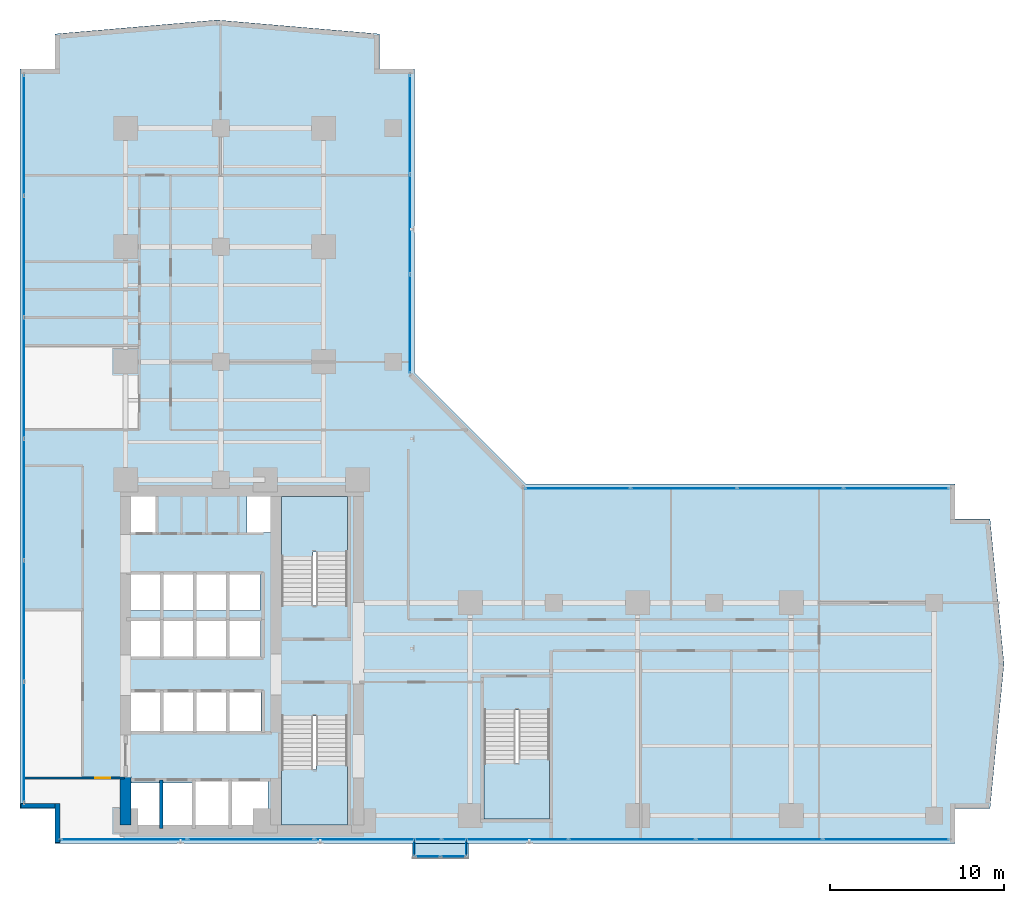
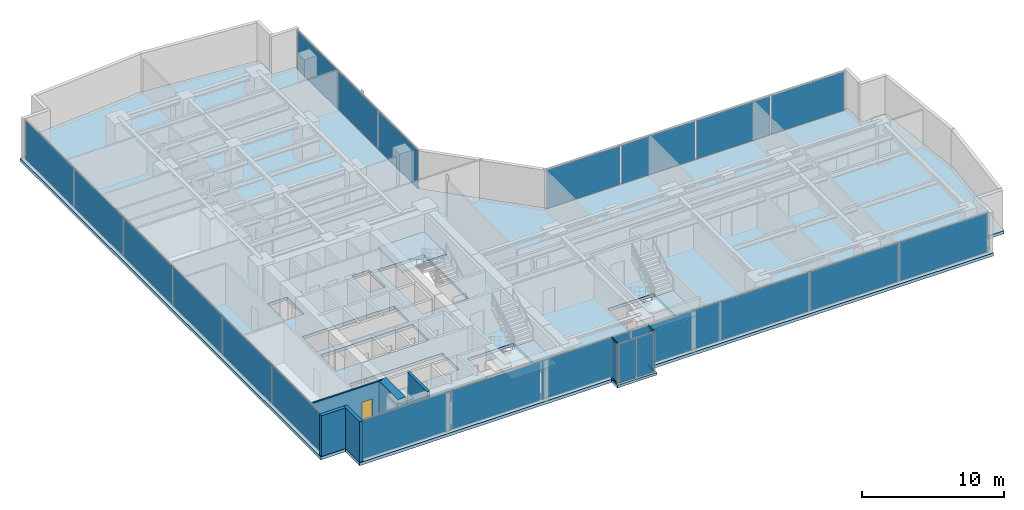
# One storey, part 18 of 25: 24 plates, 5 slabs, 5 walls, 4 members, 1 door, 1 opening, 10 elements without a shape of their own.
"""IFC4 building model written with IfcOpenShell, lengths in metres."""

from ifc_helpers import new_model, si_unit, direction, frame, frame_2d, origin, origin_with_axes, origin_2d, place, context, subcontext, project, spatial, polyline, rectangle, hollow_rectangle, outline, extrude, source, transform, mapped, material, layer, layer_set, material_profile, profile_set, type_object, element, fill, aggregate, save


model = new_model("IFC4")

# Units and contexts
model_context = context("Model", 3, precision=1e-05, world=origin(), true_north=direction((0.0, 1.0)))
body_context = subcontext(model_context, "Body", "Model", "MODEL_VIEW")
ifc_project = project(units=[si_unit("LENGTHUNIT", "METRE"), si_unit("AREAUNIT", "SQUARE_METRE"), si_unit("VOLUMEUNIT", "CUBIC_METRE"), si_unit("PLANEANGLEUNIT", "RADIAN"), si_unit("MASSUNIT", "GRAM", prefix="KILO")], contexts=[model_context])

# Site, building, storey
site_placement = place(None, origin())
site = spatial("IfcSite", under=ifc_project, at=site_placement, CompositionType="ELEMENT")
building_placement = place(site_placement, origin())
building = spatial("IfcBuilding", under=site, at=building_placement, Name="Kolvaren Waterfront Exchange", CompositionType="ELEMENT")
storey_placement = place(building_placement, frame((0.0, 0.0, 106.89990234375)))
storey = spatial("IfcBuildingStorey", under=building, at=storey_placement, Name="L27", CompositionType="ELEMENT", Elevation=106.89990234375)

# Curtain wall, members
ifc_material_1 = material(Name="Anodised bronze aluminium 6063-T6", Category="aluminium")
ifc_layer_1 = layer(ifc_material_1, 0.219970703125, Name="Anodised bronze aluminium 6063-T6")
ifc_layer_set_1 = layer_set([ifc_layer_1], Name="Anodised bronze aluminium 6063-T6")
curtain_wall_type_1 = type_object("IfcCurtainWallType", Name="ARC-CW-SYS3", PredefinedType="USERDEFINED", material=ifc_layer_set_1)
curtain_wall_1_placement = place(storey_placement, origin())
curtain_wall_1 = element("IfcCurtainWall", 1, at=curtain_wall_1_placement, inside=storey, type_object=curtain_wall_type_1, Name="L27 stick curtain wall CW3 (CW-L27-BOX-W)", ObjectType="STICK CURTAIN WALL", PredefinedType="USERDEFINED")
ifc_material_profile = material_profile(ifc_material_1, hollow_rectangle(XDim=0.06494140625, YDim=0.1298828125, WallThickness=0.00390625, at=origin_2d()), Name="ALU-TRN-130x65x4")
ifc_profile_set = profile_set([ifc_material_profile], Name="Anodised bronze aluminium 6063-T6")
member_type = type_object("IfcMemberType", Name="ARC-CWT-130", PredefinedType="USERDEFINED", material=ifc_profile_set)
shared_shape_1 = source(origin_with_axes(), body_context, "Body", "SweptSolid", [
    extrude(hollow_rectangle(XDim=0.06494140625, YDim=0.1298828125, WallThickness=0.00390625, at=origin_2d()), origin(), (0.0, 0.0, 1.0), 0.829833984375),
])
member_1_placement = place(storey_placement, frame((24.010009765625, 3.764892578125, 0.03271484375), z_axis=(0.0, -1.0, 0.0), x_axis=(1.0, 0.0, 0.0)))
member_1 = element("IfcMember", 2, at=member_1_placement, type_object=member_type, Name="CW3 transom 1.1", ObjectType="TRANSOM", PredefinedType="USERDEFINED", context=body_context, shape_type="MappedRepresentation", body=[
    mapped(shared_shape_1, transform((0.0, 0.0, 0.0), x_axis=(1.0, 0.0, 0.0), y_axis=(0.0, 1.0, 0.0), z_axis=(0.0, 0.0, 1.0), scale=1.0)),
])
member_2_placement = place(storey_placement, frame((24.010009765625, 3.764892578125, 3.467529296875), z_axis=(0.0, -1.0, 0.0), x_axis=(1.0, 0.0, 0.0)))
member_2 = element("IfcMember", 3, at=member_2_placement, type_object=member_type, Name="CW3 transom 1.2", ObjectType="TRANSOM", PredefinedType="USERDEFINED", context=body_context, shape_type="MappedRepresentation", body=[
    mapped(shared_shape_1, transform((0.0, 0.0, 0.0), x_axis=(1.0, 0.0, 0.0), y_axis=(0.0, 1.0, 0.0), z_axis=(0.0, 0.0, 1.0), scale=1.0)),
])

curtain_wall_2_placement = place(storey_placement, origin())
curtain_wall_2 = element("IfcCurtainWall", 4, at=curtain_wall_2_placement, inside=storey, type_object=curtain_wall_type_1, Name="L27 stick curtain wall CW3 (CW-L27-BOX-E)", ObjectType="STICK CURTAIN WALL", PredefinedType="USERDEFINED")
member_3_placement = place(storey_placement, frame((26.989990234375, 2.93505859375, 0.03271484375), z_axis=(0.0, 1.0, 0.0), x_axis=(-1.0, 0.0, 0.0)))
member_3 = element("IfcMember", 5, at=member_3_placement, type_object=member_type, Name="CW3 transom 1.1", ObjectType="TRANSOM", PredefinedType="USERDEFINED", context=body_context, shape_type="MappedRepresentation", body=[
    mapped(shared_shape_1, transform((0.0, 0.0, 0.0), x_axis=(1.0, 0.0, 0.0), y_axis=(0.0, 1.0, 0.0), z_axis=(0.0, 0.0, 1.0), scale=1.0)),
])
member_4_placement = place(storey_placement, frame((26.989990234375, 2.93505859375, 3.467529296875), z_axis=(0.0, 1.0, 0.0), x_axis=(-1.0, 0.0, 0.0)))
member_4 = element("IfcMember", 6, at=member_4_placement, type_object=member_type, Name="CW3 transom 1.2", ObjectType="TRANSOM", PredefinedType="USERDEFINED", context=body_context, shape_type="MappedRepresentation", body=[
    mapped(shared_shape_1, transform((0.0, 0.0, 0.0), x_axis=(1.0, 0.0, 0.0), y_axis=(0.0, 1.0, 0.0), z_axis=(0.0, 0.0, 1.0), scale=1.0)),
])

# Stair, slab
ifc_material_2 = material(Name="Concrete C40/50", Category="concrete")
stair_type = type_object("IfcStairType", Name="ARC-STAIR-3800", PredefinedType="HALF_TURN_STAIR", material=ifc_material_2)
stair_1_placement = place(storey_placement, origin())
stair_1 = element("IfcStair", 7, at=stair_1_placement, inside=storey, type_object=stair_type, Name="L27 Smoke-proof exit stair ST1", PredefinedType="HALF_TURN_STAIR")
ifc_layer_2 = layer(ifc_material_2, 0.199951171875, Name="Concrete C40/50")
ifc_layer_set_2 = layer_set([ifc_layer_2], Name="Concrete C40/50")
slab_type_1 = type_object("IfcSlabType", Name="STR-LANDING-200", PredefinedType="LANDING", material=ifc_layer_set_2)
slab_1_placement = place(storey_placement, frame((0.0, 0.0, 1.776123046875)))
slab_1 = element("IfcSlab", 8, at=slab_1_placement, type_object=slab_type_1, Name="ST1 landing 1", PredefinedType="LANDING", context=body_context, shape_type="SweptSolid", body=[
    extrude(outline(polyline([(16.39990234375, 7.840087890625), (16.39990234375, 4.64990234375), (20.159912109375, 4.64990234375), (20.159912109375, 8.10009765625), (18.360107421875, 8.10009765625), (18.360107421875, 7.840087890625), (16.39990234375, 7.840087890625)])), origin(), (0.0, 0.0, 1.0), 0.199951171875),
])
aggregate(stair_1, [slab_1])

stair_2_placement = place(storey_placement, origin())
stair_2 = element("IfcStair", 9, at=stair_2_placement, inside=storey, type_object=stair_type, Name="L27 Smoke-proof exit stair ST2", PredefinedType="HALF_TURN_STAIR")
slab_2_placement = place(storey_placement, frame((0.0, 0.0, 1.776123046875)))
slab_2 = element("IfcSlab", 10, at=slab_2_placement, type_object=slab_type_1, Name="ST2 landing 1", PredefinedType="LANDING", context=body_context, shape_type="SweptSolid", body=[
    extrude(outline(polyline([(20.159912109375, 20.31005859375), (20.159912109375, 23.5), (16.39990234375, 23.5), (16.39990234375, 20.050048828125), (18.199951171875, 20.050048828125), (18.199951171875, 20.31005859375), (20.159912109375, 20.31005859375)])), origin(), (0.0, 0.0, 1.0), 0.199951171875),
])
aggregate(stair_2, [slab_2])

stair_3_placement = place(storey_placement, origin())
stair_3 = element("IfcStair", 11, at=stair_3_placement, inside=storey, type_object=stair_type, Name="L27 Exit stair ST3", PredefinedType="HALF_TURN_STAIR")
slab_3_placement = place(storey_placement, frame((0.0, 0.0, 1.776123046875)))
slab_3 = element("IfcSlab", 12, at=slab_3_placement, type_object=slab_type_1, Name="ST3 landing 1", PredefinedType="LANDING", context=body_context, shape_type="SweptSolid", body=[
    extrude(outline(polyline([(28.0, 8.18994140625), (28.0, 5.0), (31.760009765625, 5.0), (31.760009765625, 8.449951171875), (29.9599609375, 8.449951171875), (29.9599609375, 8.18994140625), (28.0, 8.18994140625)])), origin(), (0.0, 0.0, 1.0), 0.199951171875),
])
aggregate(stair_3, [slab_3])

# Slabs
ifc_layer_3 = layer(ifc_material_2, 0.260009765625, Name="Concrete C40/50")
ifc_layer_set_3 = layer_set([ifc_layer_3], Name="Concrete C40/50")
slab_type_2 = type_object("IfcSlabType", Name="STR-SLAB-260", PredefinedType="FLOOR", material=ifc_layer_set_3)
slab_4_placement = place(storey_placement, frame((0.0, 0.0, -0.260009765625)))
element("IfcSlab", 13, at=slab_4_placement, inside=storey, type_object=slab_type_2, Name="L27 structural floor slab", PredefinedType="FLOOR", context=body_context, shape_type="SweptSolid", body=[
    extrude(outline(polyline([(3.39990234375, 3.60009765625), (55.0, 3.60009765625), (55.0, 5.60009765625), (57.0, 5.60009765625), (57.800048828125, 13.89990234375), (57.0, 22.199951171875), (55.0, 22.199951171875), (55.0, 24.199951171875), (30.39990234375, 24.199951171875), (24.0, 30.60009765625), (24.0, 48.0), (22.0, 48.0), (22.0, 50.0), (12.699951171875, 50.800048828125), (3.39990234375, 50.0), (3.39990234375, 48.0), (1.39990234375, 48.0), (1.39990234375, 5.60009765625), (3.39990234375, 5.60009765625), (3.39990234375, 3.60009765625)]), holes=[polyline([(11.320068359375, 7.260009765625), (15.610107421875, 7.260009765625), (15.610107421875, 4.5400390625), (7.719970703125, 4.5400390625), (7.719970703125, 7.06005859375), (11.320068359375, 7.06005859375), (11.320068359375, 7.260009765625)]), polyline([(20.159912109375, 4.64990234375), (16.39990234375, 4.64990234375), (16.39990234375, 10.89990234375), (20.159912109375, 10.89990234375), (20.159912109375, 4.64990234375)]), polyline([(31.760009765625, 5.0), (28.0, 5.0), (28.0, 11.25), (31.760009765625, 11.25), (31.760009765625, 5.0)]), polyline([(15.2099609375, 10.0400390625), (7.6201171875, 10.0400390625), (7.6201171875, 12.360107421875), (15.2099609375, 12.360107421875), (15.2099609375, 10.0400390625)]), polyline([(7.64501953125, 16.4599609375), (15.18505859375, 16.4599609375), (15.18505859375, 14.239990234375), (7.64501953125, 14.239990234375), (7.64501953125, 16.4599609375)]), polyline([(15.159912109375, 16.93994140625), (7.669921875, 16.93994140625), (7.669921875, 19.06005859375), (15.159912109375, 19.06005859375), (15.159912109375, 16.93994140625)]), polyline([(16.39990234375, 23.5), (20.159912109375, 23.5), (20.159912109375, 17.25), (16.39990234375, 17.25), (16.39990234375, 23.5)]), polyline([(7.60009765625, 23.780029296875), (9.179931640625, 23.780029296875), (9.179931640625, 21.419921875), (7.60009765625, 21.419921875), (7.60009765625, 23.780029296875)]), polyline([(15.800048828125, 23.780029296875), (15.800048828125, 21.419921875), (14.419921875, 21.419921875), (14.419921875, 23.780029296875), (15.800048828125, 23.780029296875)])]), origin(), (0.0, 0.0, 1.0), 0.260009765625),
])
ifc_layer_4 = layer(ifc_material_2, 0.219970703125, Name="Concrete C40/50")
ifc_layer_set_4 = layer_set([ifc_layer_4], Name="Concrete C40/50")
slab_type_3 = type_object("IfcSlabType", Name="STR-TERR-220", PredefinedType="FLOOR", material=ifc_layer_set_4)
slab_5_placement = place(storey_placement, frame((0.0, 0.0, -0.219970703125)))
element("IfcSlab", 14, at=slab_5_placement, inside=storey, type_object=slab_type_3, Name="L27 projecting bay-box floor strip", PredefinedType="FLOOR", context=body_context, shape_type="SweptSolid", body=[
    extrude(outline(polyline([(23.89990234375, 2.75), (27.10009765625, 2.75), (27.10009765625, 3.60009765625), (23.89990234375, 3.60009765625), (23.89990234375, 2.75)])), origin(), (0.0, 0.0, 1.0), 0.219970703125),
])

# Plate
ifc_material_3 = material(Name="Bronze tinted bay-box vision glass", Category="aluminium")
ifc_layer_5 = layer(ifc_material_3, 0.02392578125, Name="Bronze tinted bay-box vision glass")
ifc_layer_set_5 = layer_set([ifc_layer_5], Name="Bronze tinted bay-box vision glass")
plate_type_1 = type_object("IfcPlateType", Name="ARC-CWP-24", PredefinedType="CURTAIN_PANEL", material=ifc_layer_set_5)
shared_shape_2 = source(origin_with_axes(), body_context, "Body", "SweptSolid", [
    extrude(rectangle(XDim=0.830078125, YDim=0.02392578125, at=origin_2d()), origin(), (0.0, 0.0, 1.0), 3.3701171875),
])
plate_1_placement = place(storey_placement, frame((24.010009765625, 3.35009765625, 0.06494140625), z_axis=(0.0, 0.0, 1.0), x_axis=(0.0, -1.0, 0.0)))
plate_1 = element("IfcPlate", 15, at=plate_1_placement, type_object=plate_type_1, Name="CW3 panel 1.1", PredefinedType="CURTAIN_PANEL", context=body_context, shape_type="MappedRepresentation", body=[
    mapped(shared_shape_2, transform((0.0, 0.0, 0.0), x_axis=(1.0, 0.0, 0.0), y_axis=(0.0, 1.0, 0.0), z_axis=(0.0, 0.0, 1.0), scale=1.0)),
])

aggregate(curtain_wall_1, [member_1, member_2, plate_1])

plate_2_placement = place(storey_placement, frame((26.989990234375, 3.35009765625, 0.06494140625), z_axis=(0.0, 0.0, 1.0), x_axis=(0.0, 1.0, 0.0)))
plate_2 = element("IfcPlate", 16, at=plate_2_placement, type_object=plate_type_1, Name="CW3 panel 1.1", PredefinedType="CURTAIN_PANEL", context=body_context, shape_type="MappedRepresentation", body=[
    mapped(shared_shape_2, transform((0.0, 0.0, 0.0), x_axis=(1.0, 0.0, 0.0), y_axis=(0.0, 1.0, 0.0), z_axis=(0.0, 0.0, 1.0), scale=1.0)),
])

aggregate(curtain_wall_2, [member_3, member_4, plate_2])

# Curtain wall, plates
curtain_wall_3_placement = place(storey_placement, origin())
curtain_wall_3 = element("IfcCurtainWall", 17, at=curtain_wall_3_placement, inside=storey, type_object=curtain_wall_type_1, Name="L27 stick curtain wall CW3 (CW-L27-BOX)", ObjectType="STICK CURTAIN WALL", PredefinedType="USERDEFINED")
shared_shape_3 = source(origin_with_axes(), body_context, "Body", "SweptSolid", [
    extrude(rectangle(XDim=1.37744140625, YDim=0.02392578125, at=origin_2d()), origin(), (0.0, 0.0, 1.0), 3.3701171875),
])
plate_3_placement = place(storey_placement, frame((24.773681640625, 2.860107421875, 0.06494140625), z_axis=(0.0, 0.0, 1.0), x_axis=(1.0, 0.0, 0.0)))
plate_3 = element("IfcPlate", 18, at=plate_3_placement, type_object=plate_type_1, Name="CW3 panel 1.1", PredefinedType="CURTAIN_PANEL", context=body_context, shape_type="MappedRepresentation", body=[
    mapped(shared_shape_3, transform((0.0, 0.0, 0.0), x_axis=(1.0, 0.0, 0.0), y_axis=(0.0, 1.0, 0.0), z_axis=(0.0, 0.0, 1.0), scale=1.0)),
])
plate_4_placement = place(storey_placement, frame((26.226318359375, 2.860107421875, 0.06494140625), z_axis=(0.0, 0.0, 1.0), x_axis=(1.0, 0.0, 0.0)))
plate_4 = element("IfcPlate", 19, at=plate_4_placement, type_object=plate_type_1, Name="CW3 panel 2.1", PredefinedType="CURTAIN_PANEL", context=body_context, shape_type="MappedRepresentation", body=[
    mapped(shared_shape_3, transform((0.0, 0.0, 0.0), x_axis=(1.0, 0.0, 0.0), y_axis=(0.0, 1.0, 0.0), z_axis=(0.0, 0.0, 1.0), scale=1.0)),
])
aggregate(curtain_wall_3, [plate_3, plate_4])

ifc_layer_6 = layer(ifc_material_1, 0.219970703125, Name="Anodised bronze aluminium 6063-T6")
ifc_layer_set_6 = layer_set([ifc_layer_6], Name="Anodised bronze aluminium 6063-T6")
curtain_wall_type_2 = type_object("IfcCurtainWallType", Name="ARC-CW-SYS1", PredefinedType="USERDEFINED", material=ifc_layer_set_6)
curtain_wall_4_placement = place(storey_placement, origin())
curtain_wall_4 = element("IfcCurtainWall", 20, at=curtain_wall_4_placement, inside=storey, type_object=curtain_wall_type_2, Name="L27 stick curtain wall CW1 (CW-L27-S)", ObjectType="STICK CURTAIN WALL", PredefinedType="USERDEFINED")
ifc_material_4 = material(Name="Bronze solar control vision glass", Category="aluminium")
ifc_layer_7 = layer(ifc_material_4, 0.028076171875, Name="Bronze solar control vision glass")
ifc_layer_set_7 = layer_set([ifc_layer_7], Name="Bronze solar control vision glass")
plate_type_2 = type_object("IfcPlateType", Name="ARC-CWP-28", PredefinedType="CURTAIN_PANEL", material=ifc_layer_set_7)
shared_shape_4 = source(origin_with_axes(), body_context, "Body", "SweptSolid", [
    extrude(rectangle(XDim=7.165771484375, YDim=0.028076171875, at=origin_2d()), origin(), (0.0, 0.0, 1.0), 3.35009765625),
])
plate_5_placement = place(storey_placement, frame((7.36279296875, 3.840087890625, 0.074951171875), z_axis=(0.0, 0.0, 1.0), x_axis=(1.0, 0.0, 0.0)))
plate_5 = element("IfcPlate", 21, at=plate_5_placement, type_object=plate_type_2, Name="CW1 panel 1.1", PredefinedType="CURTAIN_PANEL", context=body_context, shape_type="MappedRepresentation", body=[
    mapped(shared_shape_4, transform((0.0, 0.0, 0.0), x_axis=(1.0, 0.0, 0.0), y_axis=(0.0, 1.0, 0.0), z_axis=(0.0, 0.0, 1.0), scale=1.0)),
])
plate_6_placement = place(storey_placement, frame((51.037109375, 3.840087890625, 0.074951171875), z_axis=(0.0, 0.0, 1.0), x_axis=(1.0, 0.0, 0.0)))
plate_6 = element("IfcPlate", 22, at=plate_6_placement, type_object=plate_type_2, Name="CW1 panel 7.1", PredefinedType="CURTAIN_PANEL", context=body_context, shape_type="MappedRepresentation", body=[
    mapped(shared_shape_4, transform((0.0, 0.0, 0.0), x_axis=(1.0, 0.0, 0.0), y_axis=(0.0, 1.0, 0.0), z_axis=(0.0, 0.0, 1.0), scale=1.0)),
])
shared_shape_5 = source(origin_with_axes(), body_context, "Body", "SweptSolid", [
    extrude(rectangle(XDim=7.205810546875, YDim=0.028076171875, at=origin_2d()), origin(), (0.0, 0.0, 1.0), 3.35009765625),
])
plate_7_placement = place(storey_placement, frame((14.628662109375, 3.840087890625, 0.074951171875), z_axis=(0.0, 0.0, 1.0), x_axis=(1.0, 0.0, 0.0)))
plate_7 = element("IfcPlate", 23, at=plate_7_placement, type_object=plate_type_2, Name="CW1 panel 2.1", PredefinedType="CURTAIN_PANEL", context=body_context, shape_type="MappedRepresentation", body=[
    mapped(shared_shape_5, transform((0.0, 0.0, 0.0), x_axis=(1.0, 0.0, 0.0), y_axis=(0.0, 1.0, 0.0), z_axis=(0.0, 0.0, 1.0), scale=1.0)),
])
plate_8_placement = place(storey_placement, frame((21.914306640625, 3.840087890625, 0.074951171875), z_axis=(0.0, 0.0, 1.0), x_axis=(1.0, 0.0, 0.0)))
plate_8 = element("IfcPlate", 24, at=plate_8_placement, type_object=plate_type_2, Name="CW1 panel 3.1", PredefinedType="CURTAIN_PANEL", context=body_context, shape_type="MappedRepresentation", body=[
    mapped(shared_shape_5, transform((0.0, 0.0, 0.0), x_axis=(1.0, 0.0, 0.0), y_axis=(0.0, 1.0, 0.0), z_axis=(0.0, 0.0, 1.0), scale=1.0)),
])
plate_9_placement = place(storey_placement, frame((29.199951171875, 3.840087890625, 0.074951171875), z_axis=(0.0, 0.0, 1.0), x_axis=(1.0, 0.0, 0.0)))
plate_9 = element("IfcPlate", 25, at=plate_9_placement, type_object=plate_type_2, Name="CW1 panel 4.1", PredefinedType="CURTAIN_PANEL", context=body_context, shape_type="MappedRepresentation", body=[
    mapped(shared_shape_5, transform((0.0, 0.0, 0.0), x_axis=(1.0, 0.0, 0.0), y_axis=(0.0, 1.0, 0.0), z_axis=(0.0, 0.0, 1.0), scale=1.0)),
])
plate_10_placement = place(storey_placement, frame((36.485595703125, 3.840087890625, 0.074951171875), z_axis=(0.0, 0.0, 1.0), x_axis=(1.0, 0.0, 0.0)))
plate_10 = element("IfcPlate", 26, at=plate_10_placement, type_object=plate_type_2, Name="CW1 panel 5.1", PredefinedType="CURTAIN_PANEL", context=body_context, shape_type="MappedRepresentation", body=[
    mapped(shared_shape_5, transform((0.0, 0.0, 0.0), x_axis=(1.0, 0.0, 0.0), y_axis=(0.0, 1.0, 0.0), z_axis=(0.0, 0.0, 1.0), scale=1.0)),
])
plate_11_placement = place(storey_placement, frame((43.771484375, 3.840087890625, 0.074951171875), z_axis=(0.0, 0.0, 1.0), x_axis=(1.0, 0.0, 0.0)))
plate_11 = element("IfcPlate", 27, at=plate_11_placement, type_object=plate_type_2, Name="CW1 panel 6.1", PredefinedType="CURTAIN_PANEL", context=body_context, shape_type="MappedRepresentation", body=[
    mapped(shared_shape_5, transform((0.0, 0.0, 0.0), x_axis=(1.0, 0.0, 0.0), y_axis=(0.0, 1.0, 0.0), z_axis=(0.0, 0.0, 1.0), scale=1.0)),
])
aggregate(curtain_wall_4, [plate_5, plate_7, plate_8, plate_9, plate_10, plate_11, plate_6])

ifc_material_5 = material(Name="Anodised aluminium 6063-T6", Category="aluminium")
ifc_layer_8 = layer(ifc_material_5, 0.219970703125, Name="Anodised aluminium 6063-T6")
ifc_layer_set_8 = layer_set([ifc_layer_8], Name="Anodised aluminium 6063-T6")
curtain_wall_type_3 = type_object("IfcCurtainWallType", Name="ARC-CW-SYS2", PredefinedType="USERDEFINED", material=ifc_layer_set_8)
curtain_wall_5_placement = place(storey_placement, origin())
curtain_wall_5 = element("IfcCurtainWall", 28, at=curtain_wall_5_placement, inside=storey, type_object=curtain_wall_type_3, Name="L27 stick curtain wall CW2 (CW-L27-W)", ObjectType="STICK CURTAIN WALL", PredefinedType="USERDEFINED")
ifc_material_6 = material(Name="Acoustic laminated vision glass", Category="glass")
ifc_layer_9 = layer(ifc_material_6, 0.031982421875, Name="Acoustic laminated vision glass")
ifc_layer_set_9 = layer_set([ifc_layer_9], Name="Acoustic laminated vision glass")
plate_type_3 = type_object("IfcPlateType", Name="ARC-CWP-32", PredefinedType="CURTAIN_PANEL", material=ifc_layer_set_9)
shared_shape_6 = source(origin_with_axes(), body_context, "Body", "SweptSolid", [
    extrude(rectangle(XDim=6.8466796875, YDim=0.031982421875, at=origin_2d()), origin(), (0.0, 0.0, 1.0), 3.35009765625),
])
plate_12_placement = place(storey_placement, frame((1.639892578125, 9.4033203125, 0.074951171875), z_axis=(0.0, 0.0, 1.0), x_axis=(0.0, 1.0, 0.0)))
plate_12 = element("IfcPlate", 29, at=plate_12_placement, type_object=plate_type_3, Name="CW2 panel 1.1", PredefinedType="CURTAIN_PANEL", context=body_context, shape_type="MappedRepresentation", body=[
    mapped(shared_shape_6, transform((0.0, 0.0, 0.0), x_axis=(1.0, 0.0, 0.0), y_axis=(0.0, 1.0, 0.0), z_axis=(0.0, 0.0, 1.0), scale=1.0)),
])
plate_13_placement = place(storey_placement, frame((1.639892578125, 44.19677734375, 0.074951171875), z_axis=(0.0, 0.0, 1.0), x_axis=(0.0, 1.0, 0.0)))
plate_13 = element("IfcPlate", 30, at=plate_13_placement, type_object=plate_type_3, Name="CW2 panel 6.1", PredefinedType="CURTAIN_PANEL", context=body_context, shape_type="MappedRepresentation", body=[
    mapped(shared_shape_6, transform((0.0, 0.0, 0.0), x_axis=(1.0, 0.0, 0.0), y_axis=(0.0, 1.0, 0.0), z_axis=(0.0, 0.0, 1.0), scale=1.0)),
])
shared_shape_7 = source(origin_with_axes(), body_context, "Body", "SweptSolid", [
    extrude(rectangle(XDim=6.88671875, YDim=0.031982421875, at=origin_2d()), origin(), (0.0, 0.0, 1.0), 3.35009765625),
])
plate_14_placement = place(storey_placement, frame((1.639892578125, 16.35009765625, 0.074951171875), z_axis=(0.0, 0.0, 1.0), x_axis=(0.0, 1.0, 0.0)))
plate_14 = element("IfcPlate", 31, at=plate_14_placement, type_object=plate_type_3, Name="CW2 panel 2.1", PredefinedType="CURTAIN_PANEL", context=body_context, shape_type="MappedRepresentation", body=[
    mapped(shared_shape_7, transform((0.0, 0.0, 0.0), x_axis=(1.0, 0.0, 0.0), y_axis=(0.0, 1.0, 0.0), z_axis=(0.0, 0.0, 1.0), scale=1.0)),
])
plate_15_placement = place(storey_placement, frame((1.639892578125, 23.316650390625, 0.074951171875), z_axis=(0.0, 0.0, 1.0), x_axis=(0.0, 1.0, 0.0)))
plate_15 = element("IfcPlate", 32, at=plate_15_placement, type_object=plate_type_3, Name="CW2 panel 3.1", PredefinedType="CURTAIN_PANEL", context=body_context, shape_type="MappedRepresentation", body=[
    mapped(shared_shape_7, transform((0.0, 0.0, 0.0), x_axis=(1.0, 0.0, 0.0), y_axis=(0.0, 1.0, 0.0), z_axis=(0.0, 0.0, 1.0), scale=1.0)),
])
plate_16_placement = place(storey_placement, frame((1.639892578125, 30.283447265625, 0.074951171875), z_axis=(0.0, 0.0, 1.0), x_axis=(0.0, 1.0, 0.0)))
plate_16 = element("IfcPlate", 33, at=plate_16_placement, type_object=plate_type_3, Name="CW2 panel 4.1", PredefinedType="CURTAIN_PANEL", context=body_context, shape_type="MappedRepresentation", body=[
    mapped(shared_shape_7, transform((0.0, 0.0, 0.0), x_axis=(1.0, 0.0, 0.0), y_axis=(0.0, 1.0, 0.0), z_axis=(0.0, 0.0, 1.0), scale=1.0)),
])
plate_17_placement = place(storey_placement, frame((1.639892578125, 37.25, 0.074951171875), z_axis=(0.0, 0.0, 1.0), x_axis=(0.0, 1.0, 0.0)))
plate_17 = element("IfcPlate", 34, at=plate_17_placement, type_object=plate_type_3, Name="CW2 panel 5.1", PredefinedType="CURTAIN_PANEL", context=body_context, shape_type="MappedRepresentation", body=[
    mapped(shared_shape_7, transform((0.0, 0.0, 0.0), x_axis=(1.0, 0.0, 0.0), y_axis=(0.0, 1.0, 0.0), z_axis=(0.0, 0.0, 1.0), scale=1.0)),
])
aggregate(curtain_wall_5, [plate_12, plate_14, plate_15, plate_16, plate_17, plate_13])

curtain_wall_6_placement = place(storey_placement, origin())
curtain_wall_6 = element("IfcCurtainWall", 35, at=curtain_wall_6_placement, inside=storey, type_object=curtain_wall_type_2, Name="L27 stick curtain wall CW1 (CW-L27-NE)", ObjectType="STICK CURTAIN WALL", PredefinedType="USERDEFINED")
shared_shape_8 = source(origin_with_axes(), body_context, "Body", "SweptSolid", [
    extrude(rectangle(XDim=5.61669921875, YDim=0.028076171875, at=origin_2d()), origin(), (0.0, 0.0, 1.0), 3.35009765625),
])
plate_18_placement = place(storey_placement, frame((23.760009765625, 33.37841796875, 0.074951171875), z_axis=(0.0, 0.0, 1.0), x_axis=(0.0, 1.0, 0.0)))
plate_18 = element("IfcPlate", 36, at=plate_18_placement, type_object=plate_type_2, Name="CW1 panel 1.1", PredefinedType="CURTAIN_PANEL", context=body_context, shape_type="MappedRepresentation", body=[
    mapped(shared_shape_8, transform((0.0, 0.0, 0.0), x_axis=(1.0, 0.0, 0.0), y_axis=(0.0, 1.0, 0.0), z_axis=(0.0, 0.0, 1.0), scale=1.0)),
])
plate_19_placement = place(storey_placement, frame((23.760009765625, 44.811767578125, 0.074951171875), z_axis=(0.0, 0.0, 1.0), x_axis=(0.0, 1.0, 0.0)))
plate_19 = element("IfcPlate", 37, at=plate_19_placement, type_object=plate_type_2, Name="CW1 panel 3.1", PredefinedType="CURTAIN_PANEL", context=body_context, shape_type="MappedRepresentation", body=[
    mapped(shared_shape_8, transform((0.0, 0.0, 0.0), x_axis=(1.0, 0.0, 0.0), y_axis=(0.0, 1.0, 0.0), z_axis=(0.0, 0.0, 1.0), scale=1.0)),
])
shared_shape_9 = source(origin_with_axes(), body_context, "Body", "SweptSolid", [
    extrude(rectangle(XDim=5.65673828125, YDim=0.028076171875, at=origin_2d()), origin(), (0.0, 0.0, 1.0), 3.35009765625),
])
plate_20_placement = place(storey_placement, frame((23.760009765625, 39.094970703125, 0.074951171875), z_axis=(0.0, 0.0, 1.0), x_axis=(0.0, 1.0, 0.0)))
plate_20 = element("IfcPlate", 38, at=plate_20_placement, type_object=plate_type_2, Name="CW1 panel 2.1", PredefinedType="CURTAIN_PANEL", context=body_context, shape_type="MappedRepresentation", body=[
    mapped(shared_shape_9, transform((0.0, 0.0, 0.0), x_axis=(1.0, 0.0, 0.0), y_axis=(0.0, 1.0, 0.0), z_axis=(0.0, 0.0, 1.0), scale=1.0)),
])
aggregate(curtain_wall_6, [plate_18, plate_20, plate_19])

curtain_wall_7_placement = place(storey_placement, origin())
curtain_wall_7 = element("IfcCurtainWall", 39, at=curtain_wall_7_placement, inside=storey, type_object=curtain_wall_type_2, Name="L27 stick curtain wall CW1 (CW-L27-EN)", ObjectType="STICK CURTAIN WALL", PredefinedType="USERDEFINED")
shared_shape_10 = source(origin_with_axes(), body_context, "Body", "SweptSolid", [
    extrude(rectangle(XDim=5.982421875, YDim=0.028076171875, at=origin_2d()), origin(), (0.0, 0.0, 1.0), 3.35009765625),
])
plate_21_placement = place(storey_placement, frame((33.361328125, 23.9599609375, 0.074951171875), z_axis=(0.0, 0.0, 1.0), x_axis=(1.0, 0.0, 0.0)))
plate_21 = element("IfcPlate", 40, at=plate_21_placement, type_object=plate_type_2, Name="CW1 panel 1.1", PredefinedType="CURTAIN_PANEL", context=body_context, shape_type="MappedRepresentation", body=[
    mapped(shared_shape_10, transform((0.0, 0.0, 0.0), x_axis=(1.0, 0.0, 0.0), y_axis=(0.0, 1.0, 0.0), z_axis=(0.0, 0.0, 1.0), scale=1.0)),
])
plate_22_placement = place(storey_placement, frame((51.628662109375, 23.9599609375, 0.074951171875), z_axis=(0.0, 0.0, 1.0), x_axis=(1.0, 0.0, 0.0)))
plate_22 = element("IfcPlate", 41, at=plate_22_placement, type_object=plate_type_2, Name="CW1 panel 4.1", PredefinedType="CURTAIN_PANEL", context=body_context, shape_type="MappedRepresentation", body=[
    mapped(shared_shape_10, transform((0.0, 0.0, 0.0), x_axis=(1.0, 0.0, 0.0), y_axis=(0.0, 1.0, 0.0), z_axis=(0.0, 0.0, 1.0), scale=1.0)),
])
shared_shape_11 = source(origin_with_axes(), body_context, "Body", "SweptSolid", [
    extrude(rectangle(XDim=6.0224609375, YDim=0.028076171875, at=origin_2d()), origin(), (0.0, 0.0, 1.0), 3.35009765625),
])
plate_23_placement = place(storey_placement, frame((39.44384765625, 23.9599609375, 0.074951171875), z_axis=(0.0, 0.0, 1.0), x_axis=(1.0, 0.0, 0.0)))
plate_23 = element("IfcPlate", 42, at=plate_23_placement, type_object=plate_type_2, Name="CW1 panel 2.1", PredefinedType="CURTAIN_PANEL", context=body_context, shape_type="MappedRepresentation", body=[
    mapped(shared_shape_11, transform((0.0, 0.0, 0.0), x_axis=(1.0, 0.0, 0.0), y_axis=(0.0, 1.0, 0.0), z_axis=(0.0, 0.0, 1.0), scale=1.0)),
])
plate_24_placement = place(storey_placement, frame((45.546142578125, 23.9599609375, 0.074951171875), z_axis=(0.0, 0.0, 1.0), x_axis=(1.0, 0.0, 0.0)))
plate_24 = element("IfcPlate", 43, at=plate_24_placement, type_object=plate_type_2, Name="CW1 panel 3.1", PredefinedType="CURTAIN_PANEL", context=body_context, shape_type="MappedRepresentation", body=[
    mapped(shared_shape_11, transform((0.0, 0.0, 0.0), x_axis=(1.0, 0.0, 0.0), y_axis=(0.0, 1.0, 0.0), z_axis=(0.0, 0.0, 1.0), scale=1.0)),
])
aggregate(curtain_wall_7, [plate_21, plate_23, plate_24, plate_22])

# Walls
ifc_material_7 = material(Name="Precast concrete C40/50", Category="concrete")
ifc_layer_10 = layer(ifc_material_7, 0.280029296875, Name="Precast concrete C40/50")
ifc_layer_set_10 = layer_set([ifc_layer_10], Name="Precast concrete C40/50")
wall_type_1 = type_object("IfcWallType", Name="ARC-EXT-TERR-280", PredefinedType="SOLIDWALL", material=ifc_layer_set_10)
wall_1_placement = place(storey_placement, frame((3.56005859375, 3.659912109375, 0.0), z_axis=(0.0, 0.0, 1.0), x_axis=(0.0, 1.0, 0.0)))
element("IfcWall", 44, at=wall_1_placement, inside=storey, type_object=wall_type_1, Name="L27 notched corner spandrel pier SW-A", PredefinedType="SOLIDWALL", context=body_context, shape_type="SweptSolid", body=[
    extrude(rectangle(XDim=2.239990234375, YDim=0.280029296875, at=frame_2d((1.1201171875, 0.0))), origin(), (0.0, 0.0, 1.0), 3.5),
])
wall_2_placement = place(storey_placement, frame((1.4599609375, 5.760009765625, 0.0), z_axis=(0.0, 0.0, 1.0), x_axis=(1.0, 0.0, 0.0)))
element("IfcWall", 45, at=wall_2_placement, inside=storey, type_object=wall_type_1, Name="L27 notched corner spandrel pier SW-B", PredefinedType="SOLIDWALL", context=body_context, shape_type="SweptSolid", body=[
    extrude(rectangle(XDim=1.9599609375, YDim=0.280029296875, at=frame_2d((0.97998046875, 0.0))), origin(), (0.0, 0.0, 1.0), 3.5),
])

# Wall, opening, door
ifc_material_8 = material(Name="Acoustic gypsum steel stud", Category="steel")
ifc_layer_11 = layer(ifc_material_8, 0.125, Name="Acoustic gypsum steel stud")
ifc_layer_set_11 = layer_set([ifc_layer_11], Name="Acoustic gypsum steel stud")
wall_type_2 = type_object("IfcWallType", Name="ARC-PART-125", PredefinedType="PARTITIONING", material=ifc_layer_set_11)
wall_3_placement = place(storey_placement, frame((1.639892578125, 7.35009765625, 0.0), z_axis=(0.0, 0.0, 1.0), x_axis=(1.0, 0.0, 0.0)))
wall_3 = element("IfcWall", 46, at=wall_3_placement, inside=storey, type_object=wall_type_2, Name="L27 interior wall PW-L27-SWC-N", PredefinedType="PARTITIONING", context=body_context, shape_type="SweptSolid", body=[
    extrude(rectangle(XDim=5.760009765625, YDim=0.125, at=frame_2d((2.8798828125, 0.0))), origin(), (0.0, 0.0, 1.0), 3.5),
])
opening_placement = place(wall_3_placement, frame((4.086669921875, 0.0, 0.0)))
opening = element("IfcOpeningElement", 47, at=opening_placement, cuts=wall_3, Name="Opening D01", PredefinedType="OPENING", context=body_context, shape_type="SweptSolid", body=[
    extrude(rectangle(XDim=0.85009765625, YDim=2.14990234375, at=frame_2d((0.425048828125, 1.074951171875))), frame((0.0, 0.072509765625, 0.0), z_axis=(0.0, -1.0, 0.0), x_axis=(1.0, 0.0, 0.0)), (0.0, 0.0, 1.0), 0.14501953125),
])
ifc_material_9 = material(Name="Oak veneer timber leaf", Category="wood")
door_type = type_object("IfcDoorType", Name="ARC-DR-900", OperationType="NOTDEFINED", PredefinedType="DOOR", material=ifc_material_9)
door_placement = place(opening_placement, origin())
door = element("IfcDoor", 48, at=door_placement, inside=storey, type_object=door_type, Name="L27 door DR-L27-SWC-D (D01)", OperationType="SINGLE_SWING_LEFT", OverallHeight=2.14990234375, OverallWidth=0.85009765625, PredefinedType="DOOR", context=body_context, shape_type="SweptSolid", body=[
    extrude(rectangle(XDim=0.85009765625, YDim=2.14990234375, at=frame_2d((0.425048828125, 1.074951171875))), frame((0.0, 0.02490234375, 0.0), z_axis=(0.0, -1.0, 0.0), x_axis=(1.0, 0.0, 0.0)), (0.0, 0.0, 1.0), 0.050048828125),
])
fill(opening, door)

# Walls
ifc_layer_12 = layer(ifc_material_2, 0.199951171875, Name="Concrete C40/50")
ifc_layer_set_12 = layer_set([ifc_layer_12], Name="Concrete C40/50")
wall_type_3 = type_object("IfcWallType", Name="ARC-SHAFT-200", PredefinedType="PARTITIONING", material=ifc_layer_set_12)
wall_4_placement = place(storey_placement, frame((9.5, 4.449951171875, 0.0), z_axis=(0.0, 0.0, 1.0), x_axis=(0.0, 1.0, 0.0)))
element("IfcWall", 49, at=wall_4_placement, inside=storey, type_object=wall_type_3, Name="L27 interior wall PW-L27-SH1-DIV-95", PredefinedType="PARTITIONING", context=body_context, shape_type="SweptSolid", body=[
    extrude(rectangle(XDim=2.800048828125, YDim=0.199951171875, at=frame_2d((1.39990234375, 0.0))), origin(), (0.0, 0.0, 1.0), 3.5),
])
ifc_material_10 = material(Name="Concrete C60/75", Category="concrete")
ifc_layer_13 = layer(ifc_material_10, 0.64990234375, Name="Concrete C60/75")
ifc_layer_set_13 = layer_set([ifc_layer_13], Name="Concrete C60/75")
wall_type_4 = type_object("IfcWallType", Name="STR-CWALL-650", PredefinedType="SHEAR", material=ifc_layer_set_13)
wall_5_placement = place(storey_placement, frame((7.449951171875, 4.64990234375, 0.0), z_axis=(0.0, 0.0, 1.0), x_axis=(0.0, 1.0, 0.0)))
element("IfcWall", 50, at=wall_5_placement, inside=storey, type_object=wall_type_4, Name="L27 rear-core shear wall W1", PredefinedType="SHEAR", context=body_context, shape_type="SweptSolid", body=[
    extrude(rectangle(XDim=2.800048828125, YDim=0.64990234375, at=frame_2d((1.39990234375, 0.0))), origin(), (0.0, 0.0, 1.0), 3.5),
])

save(model, "model.ifc")
